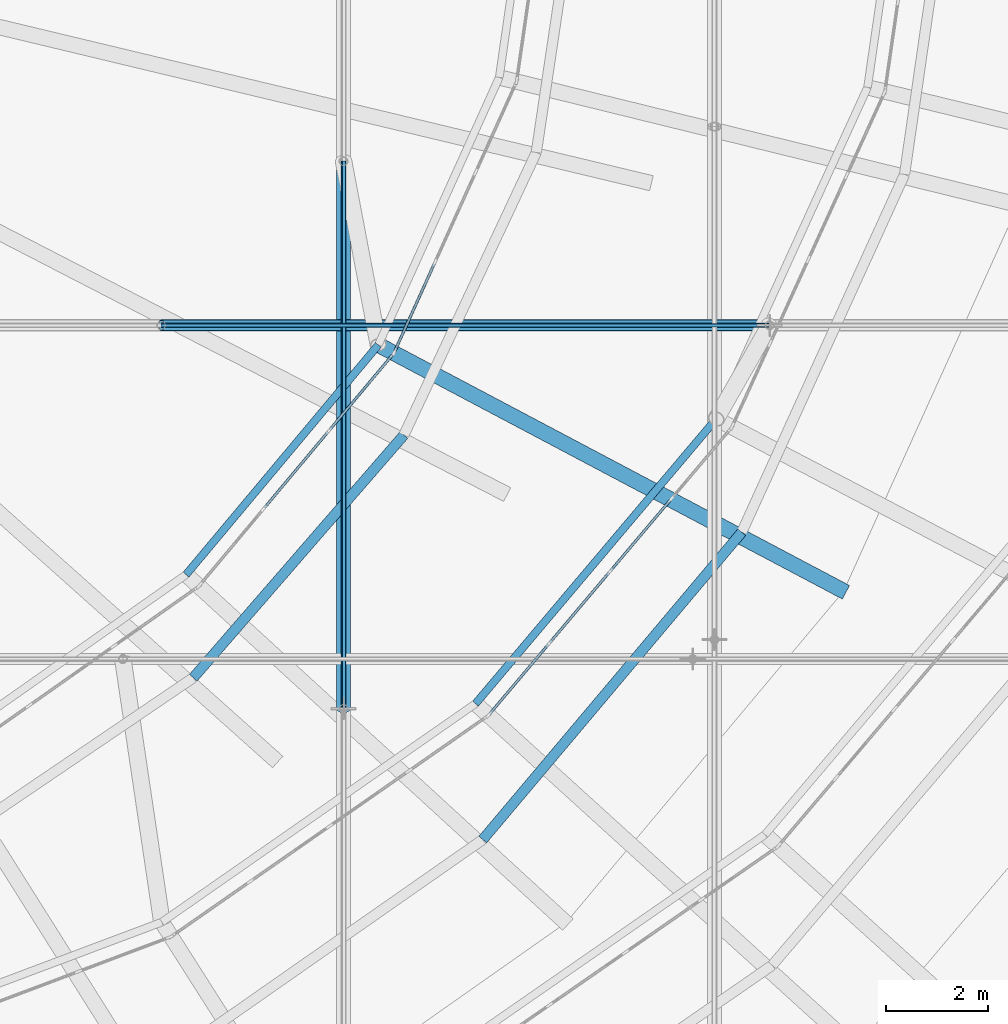
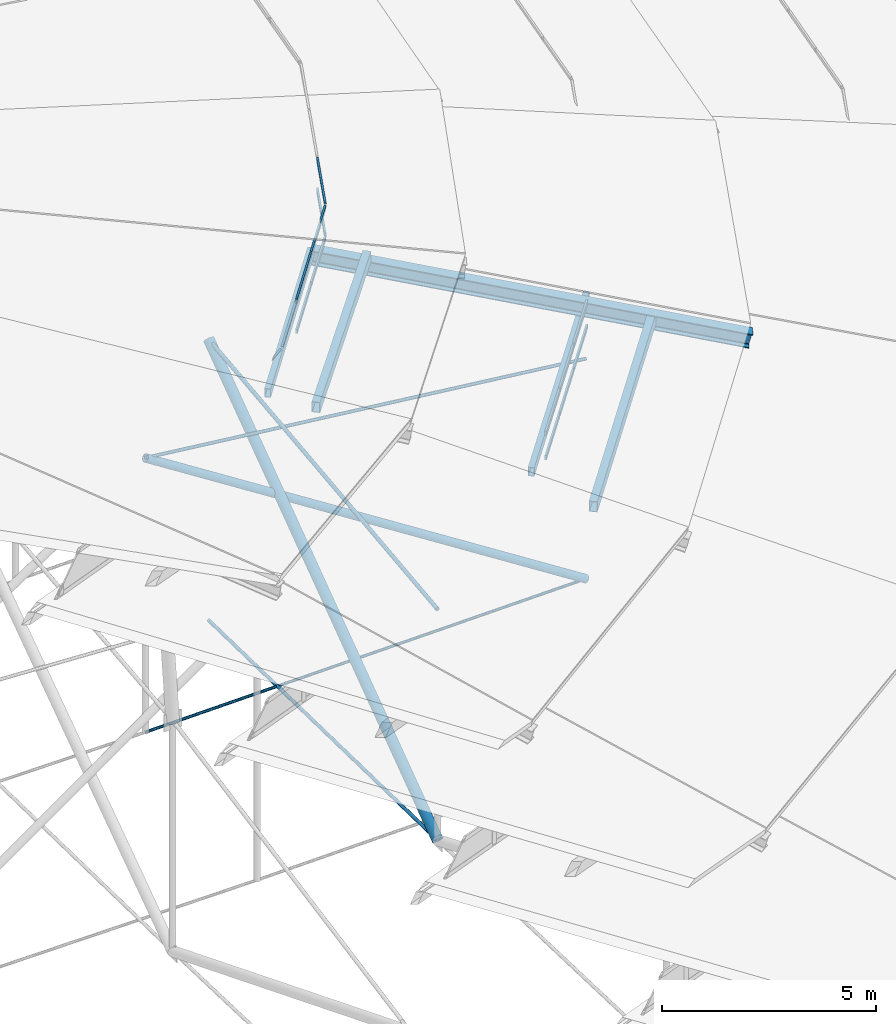
# One storey, part 79 of 173: 23 members, 3 elements without a shape of their own.
"""IFC4 building model written with IfcOpenShell, lengths in metres."""

from ifc_helpers import new_model, si_unit, direction, frame, origin, origin_2d, place, context, subcontext, project, spatial, rectangle, hollow_rectangle, circle, hollow_circle, i_section, extrude, material, material_profile, profile_set, type_object, element, aggregate, save


model = new_model("IFC4")

# Units and contexts
model_context = context("Model", 3, precision=1e-05, world=origin(), true_north=direction((0.0, 1.0)))
body_context = subcontext(model_context, "Body", "Model", "MODEL_VIEW")
ifc_project = project(units=[si_unit("LENGTHUNIT", "METRE"), si_unit("AREAUNIT", "SQUARE_METRE"), si_unit("VOLUMEUNIT", "CUBIC_METRE"), si_unit("PLANEANGLEUNIT", "RADIAN"), si_unit("MASSUNIT", "GRAM", prefix="KILO")], contexts=[model_context])

# Site, building, storey
site_placement = place(None, origin())
site = spatial("IfcSite", under=ifc_project, at=site_placement, CompositionType="ELEMENT")
building_placement = place(site_placement, origin())
building = spatial("IfcBuilding", under=site, at=building_placement, Name="Glasvene Arena", CompositionType="ELEMENT")
storey_placement = place(building_placement, frame((0.0, 0.0, 28.800048828125)))
storey = spatial("IfcBuildingStorey", under=building, at=storey_placement, Name="RF", CompositionType="ELEMENT", Elevation=28.800048828125)

# Curtain wall, members
ifc_material_1 = material(Name="Low-emissivity laminated double glazing", Category="glass")
curtain_wall_type_1 = type_object("IfcCurtainWallType", Name="CW-PET3-737x75", PredefinedType="USERDEFINED", material=ifc_material_1)
curtain_wall_1_placement = place(storey_placement, frame((110.27783203125, 51.466796875, 0.0)))
curtain_wall_1 = element("IfcCurtainWall", 1, at=curtain_wall_1_placement, inside=storey, type_object=curtain_wall_type_1, Name="Petal ring 3-4 clerestory curtain wall 22", ObjectType="CURTAIN WALL", PredefinedType="USERDEFINED")
ifc_material_2 = material(Name="Anodised architectural aluminium", Category="aluminium")
ifc_material_profile_1 = material_profile(ifc_material_2, rectangle(XDim=0.050048828125, YDim=0.1201171875, at=origin_2d()), Name="ALU TRANSOM 50x120")
ifc_profile_set_1 = profile_set([ifc_material_profile_1], Name="Anodised architectural aluminium")
member_type_1 = type_object("IfcMemberType", Name="CW-TRN-120", PredefinedType="USERDEFINED", material=ifc_profile_set_1)
member_1_placement = place(storey_placement, frame((110.31005859375, 51.5048828125, 7.85498046875), z_axis=(0.645409970191, 0.763836350521, 0.0), x_axis=(-0.763836350521, 0.645409970191, 0.0)))
member_1 = element("IfcMember", 2, at=member_1_placement, type_object=member_type_1, Name="CW-095 transom 1.1", ObjectType="TRANSOM", PredefinedType="USERDEFINED", context=body_context, shape_type="SweptSolid", body=[
    extrude(rectangle(XDim=0.050048828125, YDim=0.1201171875, at=origin_2d()), origin(), (0.0, 0.0, 1.0), 1.768798828125),
])
member_2_placement = place(storey_placement, frame((110.31005859375, 51.5048828125, 8.554931640625), z_axis=(0.645409970191, 0.763836350521, 0.0), x_axis=(-0.763836350521, 0.645409970191, 0.0)))
member_2 = element("IfcMember", 3, at=member_2_placement, type_object=member_type_1, Name="CW-095 transom 1.2", ObjectType="TRANSOM", PredefinedType="USERDEFINED", context=body_context, shape_type="SweptSolid", body=[
    extrude(rectangle(XDim=0.050048828125, YDim=0.1201171875, at=origin_2d()), origin(), (0.0, 0.0, 1.0), 1.768798828125),
])
member_3_placement = place(storey_placement, frame((111.48388671875, 52.89404296875, 7.85498046875), z_axis=(0.645417374568, 0.763830094069, 0.0), x_axis=(-0.763830094069, 0.645417374568, 0.0)))
member_3 = element("IfcMember", 4, at=member_3_placement, type_object=member_type_1, Name="CW-095 transom 2.1", ObjectType="TRANSOM", PredefinedType="USERDEFINED", context=body_context, shape_type="SweptSolid", body=[
    extrude(rectangle(XDim=0.050048828125, YDim=0.1201171875, at=origin_2d()), origin(), (0.0, 0.0, 1.0), 1.793701171875),
])
member_4_placement = place(storey_placement, frame((111.48388671875, 52.89404296875, 8.554931640625), z_axis=(0.645417374568, 0.763830094069, 0.0), x_axis=(-0.763830094069, 0.645417374568, 0.0)))
member_4 = element("IfcMember", 5, at=member_4_placement, type_object=member_type_1, Name="CW-095 transom 2.2", ObjectType="TRANSOM", PredefinedType="USERDEFINED", context=body_context, shape_type="SweptSolid", body=[
    extrude(rectangle(XDim=0.050048828125, YDim=0.1201171875, at=origin_2d()), origin(), (0.0, 0.0, 1.0), 1.793701171875),
])
member_5_placement = place(storey_placement, frame((112.673828125, 54.302490234375, 7.85498046875), z_axis=(0.645417374568, 0.763830094069, 0.0), x_axis=(-0.763830094069, 0.645417374568, 0.0)))
member_5 = element("IfcMember", 6, at=member_5_placement, type_object=member_type_1, Name="CW-095 transom 3.1", ObjectType="TRANSOM", PredefinedType="USERDEFINED", context=body_context, shape_type="SweptSolid", body=[
    extrude(rectangle(XDim=0.050048828125, YDim=0.1201171875, at=origin_2d()), origin(), (0.0, 0.0, 1.0), 1.793701171875),
])
member_6_placement = place(storey_placement, frame((112.673828125, 54.302490234375, 8.554931640625), z_axis=(0.645417374568, 0.763830094069, 0.0), x_axis=(-0.763830094069, 0.645417374568, 0.0)))
member_6 = element("IfcMember", 7, at=member_6_placement, type_object=member_type_1, Name="CW-095 transom 3.2", ObjectType="TRANSOM", PredefinedType="USERDEFINED", context=body_context, shape_type="SweptSolid", body=[
    extrude(rectangle(XDim=0.050048828125, YDim=0.1201171875, at=origin_2d()), origin(), (0.0, 0.0, 1.0), 1.793701171875),
])
aggregate(curtain_wall_1, [member_1, member_2, member_3, member_4, member_5, member_6])

curtain_wall_type_2 = type_object("IfcCurtainWallType", Name="CW-PET4-594x92", PredefinedType="USERDEFINED", material=ifc_material_1)
curtain_wall_2_placement = place(storey_placement, frame((104.62060546875, 53.99365234375, 0.0)))
curtain_wall_2 = element("IfcCurtainWall", 8, at=curtain_wall_2_placement, inside=storey, type_object=curtain_wall_type_2, Name="Petal ring 4-5 clerestory curtain wall 22", ObjectType="CURTAIN WALL", PredefinedType="USERDEFINED")
member_7_placement = place(storey_placement, frame((105.907958984375, 55.53173828125, 10.554931640625), z_axis=(0.641936656459, 0.766757672993, 0.0), x_axis=(-0.766757672993, 0.641936656459, 0.0)))
member_7 = element("IfcMember", 9, at=member_7_placement, type_object=member_type_1, Name="CW-101 transom 2.1", ObjectType="TRANSOM", PredefinedType="USERDEFINED", context=body_context, shape_type="SweptSolid", body=[
    extrude(rectangle(XDim=0.050048828125, YDim=0.1201171875, at=origin_2d()), origin(), (0.0, 0.0, 1.0), 1.930419921875),
])
member_8_placement = place(storey_placement, frame((105.907958984375, 55.53173828125, 11.4208984375), z_axis=(0.641936656459, 0.766757672993, 0.0), x_axis=(-0.766757672993, 0.641936656459, 0.0)))
member_8 = element("IfcMember", 10, at=member_8_placement, type_object=member_type_1, Name="CW-101 transom 2.2", ObjectType="TRANSOM", PredefinedType="USERDEFINED", context=body_context, shape_type="SweptSolid", body=[
    extrude(rectangle(XDim=0.050048828125, YDim=0.1201171875, at=origin_2d()), origin(), (0.0, 0.0, 1.0), 1.930419921875),
])
member_9_placement = place(storey_placement, frame((107.17919921875, 57.05029296875, 10.554931640625), z_axis=(0.641896373097, 0.766791396799, 0.0), x_axis=(-0.766791396799, 0.641896373097, 0.0)))
member_9 = element("IfcMember", 11, at=member_9_placement, type_object=member_type_1, Name="CW-101 transom 3.1", ObjectType="TRANSOM", PredefinedType="USERDEFINED", context=body_context, shape_type="SweptSolid", body=[
    extrude(rectangle(XDim=0.050048828125, YDim=0.1201171875, at=origin_2d()), origin(), (0.0, 0.0, 1.0), 1.906005859375),
])
member_10_placement = place(storey_placement, frame((107.17919921875, 57.05029296875, 11.4208984375), z_axis=(0.641896373097, 0.766791396799, 0.0), x_axis=(-0.766791396799, 0.641896373097, 0.0)))
member_10 = element("IfcMember", 12, at=member_10_placement, type_object=member_type_1, Name="CW-101 transom 3.2", ObjectType="TRANSOM", PredefinedType="USERDEFINED", context=body_context, shape_type="SweptSolid", body=[
    extrude(rectangle(XDim=0.050048828125, YDim=0.1201171875, at=origin_2d()), origin(), (0.0, 0.0, 1.0), 1.906005859375),
])
aggregate(curtain_wall_2, [member_7, member_8, member_9, member_10])

curtain_wall_type_3 = type_object("IfcCurtainWallType", Name="CW-PET4-582x92", PredefinedType="USERDEFINED", material=ifc_material_1)
curtain_wall_3_placement = place(storey_placement, frame((108.4345703125, 58.550048828125, 0.0)))
curtain_wall_3 = element("IfcCurtainWall", 13, at=curtain_wall_3_placement, inside=storey, type_object=curtain_wall_type_3, Name="Petal ring 4-5 clerestory curtain wall 23", ObjectType="CURTAIN WALL", PredefinedType="USERDEFINED")
member_11_placement = place(storey_placement, frame((108.455078125, 58.595458984375, 10.554931640625), z_axis=(0.41175148057, 0.911296174824, 0.0), x_axis=(-0.911296174824, 0.41175148057, 0.0)))
member_11 = element("IfcMember", 14, at=member_11_placement, type_object=member_type_1, Name="CW-100 transom 1.1", ObjectType="TRANSOM", PredefinedType="USERDEFINED", context=body_context, shape_type="SweptSolid", body=[
    extrude(rectangle(XDim=0.050048828125, YDim=0.1201171875, at=origin_2d()), origin(), (0.0, 0.0, 1.0), 1.865966796875),
])
member_12_placement = place(storey_placement, frame((108.455078125, 58.595458984375, 11.4208984375), z_axis=(0.41175148057, 0.911296174824, 0.0), x_axis=(-0.911296174824, 0.41175148057, 0.0)))
member_12 = element("IfcMember", 15, at=member_12_placement, type_object=member_type_1, Name="CW-100 transom 1.2", ObjectType="TRANSOM", PredefinedType="USERDEFINED", context=body_context, shape_type="SweptSolid", body=[
    extrude(rectangle(XDim=0.050048828125, YDim=0.1201171875, at=origin_2d()), origin(), (0.0, 0.0, 1.0), 1.865966796875),
])
aggregate(curtain_wall_3, [member_11, member_12])

# Members
ifc_material_3 = material(Name="High-strength steel spiral strand S460", Category="steel")
ifc_material_profile_2 = material_profile(ifc_material_3, circle(Radius=0.052490234375, at=origin_2d()), Name="LCSS D105")
ifc_profile_set_2 = profile_set([ifc_material_profile_2], Name="High-strength steel spiral strand S460")
member_type_2 = type_object("IfcMemberType", Name="MB-CABLE-105", PredefinedType="USERDEFINED", material=ifc_profile_set_2)
member_13_placement = place(storey_placement, frame((107.45068359375, 51.601318359375, 4.472900390625), z_axis=(0.0, 0.993587437632, 0.113066368918), x_axis=(-1.0, 0.0, 0.0)))
element("IfcMember", 16, at=member_13_placement, inside=storey, type_object=member_type_2, Name="Upper lens roof cable NS03-03", ObjectType="ROOF CABLE", PredefinedType="USERDEFINED", context=body_context, shape_type="SweptSolid", body=[
    extrude(circle(Radius=0.052490234375, at=origin_2d()), origin(), (0.0, 0.0, 1.0), 10.768310546875),
])
ifc_material_profile_3 = material_profile(ifc_material_3, circle(Radius=0.03759765625, at=origin_2d()), Name="LCSS D75")
ifc_profile_set_3 = profile_set([ifc_material_profile_3], Name="High-strength steel spiral strand S460")
member_type_3 = type_object("IfcMemberType", Name="MB-CABLE-75", PredefinedType="USERDEFINED", material=ifc_profile_set_3)
member_14_placement = place(storey_placement, frame((103.88818359375, 59.09423828125, -2.328125), z_axis=(0.999835625889, 0.0, 0.01813067026), x_axis=(0.0, 1.0, 0.0)))
element("IfcMember", 17, at=member_14_placement, inside=storey, type_object=member_type_3, Name="Lower stabilization roof cable EW02-06", ObjectType="ROOF CABLE", PredefinedType="USERDEFINED", context=body_context, shape_type="SweptSolid", body=[
    extrude(circle(Radius=0.03759765625, at=origin_2d()), origin(), (0.0, 0.0, 1.0), 11.89013671875),
])
ifc_material_profile_4 = material_profile(ifc_material_3, circle(Radius=0.044921875, at=origin_2d()), Name="LCSS D90")
ifc_profile_set_4 = profile_set([ifc_material_profile_4], Name="High-strength steel spiral strand S460")
member_type_4 = type_object("IfcMemberType", Name="MB-CABLE-90", PredefinedType="USERDEFINED", material=ifc_profile_set_4)
member_15_placement = place(storey_placement, frame((107.45068359375, 51.601318359375, -2.112548828125), z_axis=(0.0, 0.999797075179, -0.020144688239), x_axis=(-1.0, 0.0, 0.0)))
element("IfcMember", 18, at=member_15_placement, inside=storey, type_object=member_type_4, Name="Lower stabilization roof cable NS03-03", ObjectType="ROOF CABLE", PredefinedType="USERDEFINED", context=body_context, shape_type="SweptSolid", body=[
    extrude(circle(Radius=0.044921875, at=origin_2d()), origin(), (0.0, 0.0, 1.0), 10.701416015625),
])
member_16_placement = place(storey_placement, frame((103.88818359375, 59.09423828125, 5.499267578125), z_axis=(0.99377900828, 0.0, -0.111370026044), x_axis=(0.0, 1.0, 0.0)))
element("IfcMember", 19, at=member_16_placement, inside=storey, type_object=member_type_4, Name="Upper lens roof cable EW02-06", ObjectType="ROOF CABLE", PredefinedType="USERDEFINED", context=body_context, shape_type="SweptSolid", body=[
    extrude(circle(Radius=0.044921875, at=origin_2d()), origin(), (0.0, 0.0, 1.0), 11.962646484375),
])
ifc_material_4 = material(Name="Steel S355J2", Category="steel")
ifc_material_profile_5 = material_profile(ifc_material_4, i_section(OverallWidth=0.300048828125, OverallDepth=0.39990234375, WebThickness=0.013427734375, FlangeThickness=0.02392578125, FilletRadius=0.027099609375, at=origin_2d()), Name="HEB 400")
ifc_profile_set_5 = profile_set([ifc_material_profile_5], Name="Steel S355J2")
member_type_5 = type_object("IfcMemberType", Name="MB-CHORD-HEB400", PredefinedType="CHORD", material=ifc_profile_set_5)
member_17_placement = place(storey_placement, frame((117.224853515625, 53.89990234375, 7.39990234375), z_axis=(-0.855929216878, 0.452944339383, 0.249452602943), x_axis=(-0.46773070606, -0.883871023741, 0.0)))
element("IfcMember", 20, at=member_17_placement, inside=storey, type_object=member_type_5, Name="Petal ring 4 radial rib 23", PredefinedType="CHORD", context=body_context, shape_type="SweptSolid", body=[
    extrude(i_section(OverallWidth=0.300048828125, OverallDepth=0.39990234375, WebThickness=0.013427734375, FlangeThickness=0.02392578125, FilletRadius=0.027099609375, at=origin_2d()), origin(), (0.0, 0.0, 1.0), 10.623779296875),
])
ifc_material_profile_6 = material_profile(ifc_material_4, hollow_rectangle(XDim=0.14990234375, YDim=0.25, WallThickness=0.010009765625, at=origin_2d()), Name="RHS 250x150x10.0")
ifc_profile_set_6 = profile_set([ifc_material_profile_6], Name="Steel S355J2")
member_type_6 = type_object("IfcMemberType", Name="MB-PURLIN-RHS250", PredefinedType="PURLIN", material=ifc_profile_set_6)
member_18_placement = place(storey_placement, frame((110.030517578125, 51.700927734375, 7.431884765625), z_axis=(0.64556365772, 0.763706464442, 0.0), x_axis=(-0.763706464442, 0.64556365772, 0.0)))
element("IfcMember", 21, at=member_18_placement, inside=storey, type_object=member_type_6, Name="Petal ring 3 ridge purlin 22", PredefinedType="PURLIN", context=body_context, shape_type="SweptSolid", body=[
    extrude(hollow_rectangle(XDim=0.14990234375, YDim=0.25, WallThickness=0.010009765625, at=origin_2d()), origin(), (0.0, 0.0, 1.0), 7.286376953125),
])
member_19_placement = place(storey_placement, frame((104.373046875, 54.22265625, 10.1318359375), z_axis=(0.641946348461, 0.766749558655, 0.0), x_axis=(-0.766749558655, 0.641946348461, 0.0)))
element("IfcMember", 22, at=member_19_placement, inside=storey, type_object=member_type_6, Name="Petal ring 4 ridge purlin 22", PredefinedType="PURLIN", context=body_context, shape_type="SweptSolid", body=[
    extrude(hollow_rectangle(XDim=0.14990234375, YDim=0.25, WallThickness=0.010009765625, at=origin_2d()), origin(), (0.0, 0.0, 1.0), 5.85498046875),
])
ifc_material_profile_7 = material_profile(ifc_material_4, hollow_rectangle(XDim=0.199951171875, YDim=0.300048828125, WallThickness=0.012451171875, at=origin_2d()), Name="RHS 300x200x12.5")
ifc_profile_set_7 = profile_set([ifc_material_profile_7], Name="Steel S355J2")
member_type_7 = type_object("IfcMemberType", Name="MB-PURLIN-RHS300", PredefinedType="PURLIN", material=ifc_profile_set_7)
member_20_placement = place(storey_placement, frame((110.17138671875, 49.0439453125, 8.00048828125), z_axis=(0.644415198953, 0.764675781857, 0.0), x_axis=(-0.764675781857, 0.644415198953, 0.0)))
element("IfcMember", 23, at=member_20_placement, inside=storey, type_object=member_type_7, Name="Petal ring 4 outer purlin 22", PredefinedType="PURLIN", context=body_context, shape_type="SweptSolid", body=[
    extrude(hollow_rectangle(XDim=0.199951171875, YDim=0.300048828125, WallThickness=0.012451171875, at=origin_2d()), origin(), (0.0, 0.0, 1.0), 7.8544921875),
])
member_21_placement = place(storey_placement, frame((104.51416015625, 52.207275390625, 10.9013671875), z_axis=(0.655443991024, 0.7552437849, 0.0), x_axis=(-0.7552437849, 0.655443991024, 0.0)))
element("IfcMember", 24, at=member_21_placement, inside=storey, type_object=member_type_7, Name="Petal ring 5 outer purlin 22", PredefinedType="PURLIN", context=body_context, shape_type="SweptSolid", body=[
    extrude(hollow_rectangle(XDim=0.199951171875, YDim=0.300048828125, WallThickness=0.012451171875, at=origin_2d()), origin(), (0.0, 0.0, 1.0), 6.279541015625),
])
ifc_material_profile_8 = material_profile(ifc_material_4, hollow_circle(Radius=0.109619140625, WallThickness=0.010009765625, at=origin_2d()), Name="CHS 219.1x10.0")
ifc_profile_set_8 = profile_set([ifc_material_profile_8], Name="Steel S355J2")
member_type_8 = type_object("IfcMemberType", Name="MB-WEB-CHS219", PredefinedType="BRACE", material=ifc_profile_set_8)
member_22_placement = place(storey_placement, frame((103.88818359375, 59.09423828125, 5.499267578125), z_axis=(0.842162705772, 0.0, -0.539223494487), x_axis=(0.0, 1.0, 0.0)))
element("IfcMember", 25, at=member_22_placement, inside=storey, type_object=member_type_8, Name="Cable-truss diagonal web strut EW02-06", PredefinedType="BRACE", context=body_context, shape_type="SweptSolid", body=[
    extrude(hollow_circle(Radius=0.109619140625, WallThickness=0.010009765625, at=origin_2d()), origin(), (0.0, 0.0, 1.0), 14.1162109375),
])
ifc_material_profile_9 = material_profile(ifc_material_4, hollow_circle(Radius=0.136474609375, WallThickness=0.012451171875, at=origin_2d()), Name="CHS 273.0x12.5")
ifc_profile_set_9 = profile_set([ifc_material_profile_9], Name="Steel S355J2")
member_type_9 = type_object("IfcMemberType", Name="MB-WEB-CHS273", PredefinedType="BRACE", material=ifc_profile_set_9)
member_23_placement = place(storey_placement, frame((107.45068359375, 51.601318359375, -2.112548828125), z_axis=(0.0, 0.807954866612, 0.589244375041), x_axis=(-1.0, 0.0, 0.0)))
element("IfcMember", 26, at=member_23_placement, inside=storey, type_object=member_type_9, Name="Cable-truss diagonal web strut NS03-03", PredefinedType="BRACE", context=body_context, shape_type="SweptSolid", body=[
    extrude(hollow_circle(Radius=0.136474609375, WallThickness=0.012451171875, at=origin_2d()), origin(), (0.0, 0.0, 1.0), 13.242431640625),
])

save(model, "model.ifc")
